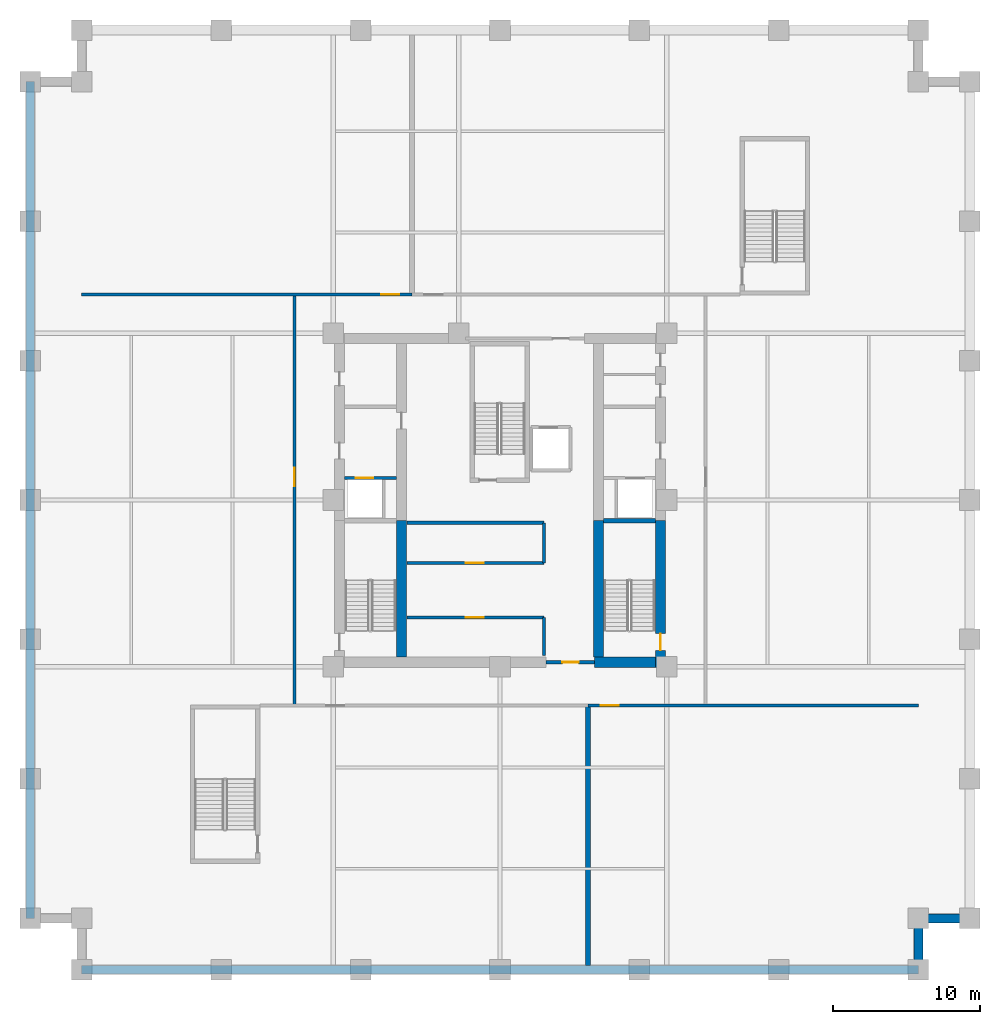
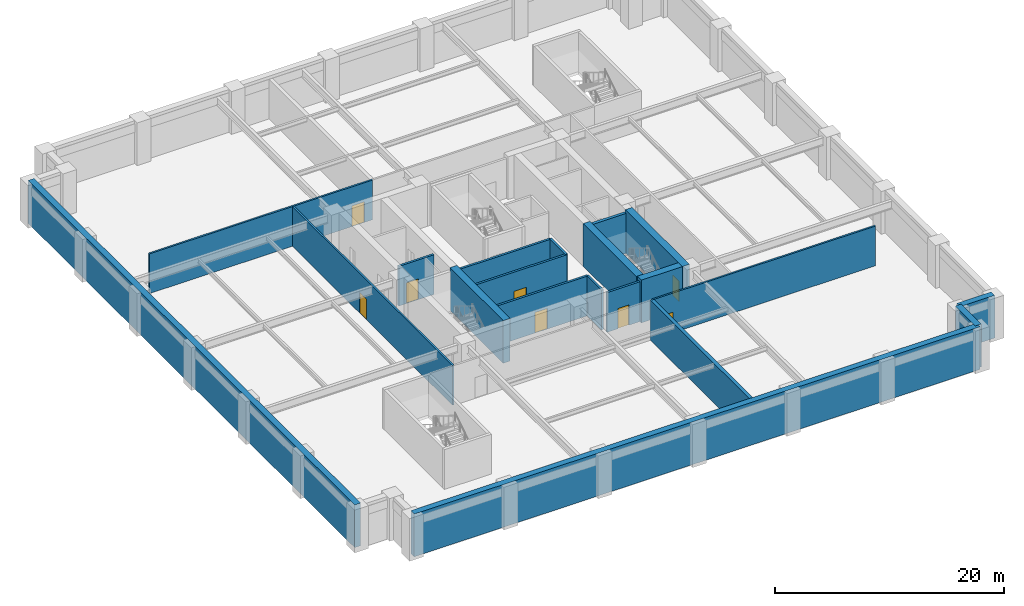
# One storey, part 2 of 6: 20 walls, 8 doors, 8 openings.
"""IFC4 building model written with IfcOpenShell, lengths in metres."""

from ifc_helpers import new_model, si_unit, direction, frame, frame_2d, origin, place, context, subcontext, project, spatial, rectangle, extrude, material, layer, layer_set, type_object, element, fill, save


model = new_model("IFC4")

# Units and contexts
model_context = context("Model", 3, precision=1e-05, world=origin(), true_north=direction((0.0, 1.0)))
body_context = subcontext(model_context, "Body", "Model", "MODEL_VIEW")
ifc_project = project(units=[si_unit("LENGTHUNIT", "METRE"), si_unit("AREAUNIT", "SQUARE_METRE"), si_unit("VOLUMEUNIT", "CUBIC_METRE"), si_unit("PLANEANGLEUNIT", "RADIAN"), si_unit("MASSUNIT", "GRAM", prefix="KILO")], contexts=[model_context])

# Site, building, storey
site_placement = place(None, origin())
site = spatial("IfcSite", under=ifc_project, at=site_placement, CompositionType="ELEMENT")
building_placement = place(site_placement, origin())
building = spatial("IfcBuilding", under=site, at=building_placement, Name="Nhamokura Convention Tower", CompositionType="ELEMENT")
storey_placement = place(building_placement, frame((0.0, 0.0, -4.550048828125)))
storey = spatial("IfcBuildingStorey", under=building, at=storey_placement, Name="B01", CompositionType="ELEMENT", Elevation=-4.550048828125)

# Walls
ifc_material_1 = material(Name="Concrete C50/60", Category="concrete")
ifc_layer_1 = layer(ifc_material_1, 0.60009765625)
ifc_layer_set_1 = layer_set([ifc_layer_1], Name="BasementRetainingWall_600")
wall_type_1 = type_object("IfcWallType", Name="BasementRetainingWall_600", PredefinedType="USERDEFINED", material=ifc_layer_set_1)
wall_1_placement = place(storey_placement, frame((3.5, 0.0, 0.0), z_axis=(0.0, 0.0, 1.0), x_axis=(1.0, 0.0, 0.0)))
element("IfcWall", 1, at=wall_1_placement, inside=storey, type_object=wall_type_1, Name="B01 Perimeter Retaining Wall 01", ObjectType="RETAININGWALL", PredefinedType="USERDEFINED", context=body_context, shape_type="SweptSolid", body=[
    extrude(rectangle(XDim=57.0, YDim=0.60009765625, at=frame_2d((28.5, 0.0))), origin(), (0.0, 0.0, 1.0), 4.550048828125),
])
for number, where, z_axis, x_axis, name in (
    (2, (60.5, 0.0, 0.0), (0.0, 0.0, 1.0), (0.0, 1.0, 0.0), "B01 Perimeter Retaining Wall 02"),
    (3, (60.5, 3.5, 0.0), (0.0, 0.0, 1.0), (1.0, 0.0, 0.0), "B01 Perimeter Retaining Wall 03"),
):
    element("IfcWall", number, at=place(storey_placement, frame(where, z_axis=z_axis, x_axis=x_axis)), inside=storey, type_object=wall_type_1, Name=name, ObjectType="RETAININGWALL", PredefinedType="USERDEFINED", context=body_context, shape_type="SweptSolid", body=[
        extrude(rectangle(XDim=3.5, YDim=0.60009765625, at=frame_2d((1.75, 0.0))), origin(), (0.0, 0.0, 1.0), 4.550048828125),
    ])
wall_2_placement = place(storey_placement, frame((0.0, 60.5, 0.0), z_axis=(0.0, 0.0, 1.0), x_axis=(0.0, -1.0, 0.0)))
element("IfcWall", 4, at=wall_2_placement, inside=storey, type_object=wall_type_1, Name="B01 Perimeter Retaining Wall 10", ObjectType="RETAININGWALL", PredefinedType="USERDEFINED", context=body_context, shape_type="SweptSolid", body=[
    extrude(rectangle(XDim=57.0, YDim=0.60009765625, at=frame_2d((28.5, 0.0))), origin(), (0.0, 0.0, 1.0), 4.550048828125),
])

# Wall, opening, door
ifc_material_2 = material(Name="Concrete C70/85", Category="concrete")
ifc_layer_2 = layer(ifc_material_2, 0.699951171875)
ifc_layer_set_2 = layer_set([ifc_layer_2], Name="CoreShearWall_700")
wall_type_2 = type_object("IfcWallType", Name="CoreShearWall_700", PredefinedType="SHEAR", material=ifc_layer_set_2)
wall_3_placement = place(storey_placement, frame((42.93994140625, 20.60009765625, 0.0), z_axis=(0.0, 0.0, 1.0), x_axis=(0.0, 1.0, 0.0)))
wall_3 = element("IfcWall", 5, at=wall_3_placement, inside=storey, type_object=wall_type_2, Name="B01 Core Shear Wall CW-ES", PredefinedType="SHEAR", context=body_context, shape_type="SweptSolid", body=[
    extrude(rectangle(XDim=10.0, YDim=0.699951171875, at=frame_2d((5.0, 0.0))), origin(), (0.0, 0.0, 1.0), 4.550048828125),
])
opening_1_placement = place(wall_3_placement, frame((1.14990234375, 0.0, 0.0)))
opening_1 = element("IfcOpeningElement", 6, at=opening_1_placement, cuts=wall_3, Name="Opening D-04", PredefinedType="OPENING", context=body_context, shape_type="SweptSolid", body=[
    extrude(rectangle(XDim=1.14990234375, YDim=2.14990234375, at=frame_2d((0.574951171875, 1.074951171875))), frame((0.0, 0.35986328125, 0.0), z_axis=(0.0, -1.0, 0.0), x_axis=(1.0, 0.0, 0.0)), (0.0, 0.0, 1.0), 0.719970703125),
])
ifc_material_3 = material(Name="Fire-rated steel door", Category="steel")
door_type_1 = type_object("IfcDoorType", Name="StairSmokeDoor_1150", OperationType="NOTDEFINED", PredefinedType="DOOR", material=ifc_material_3)
door_1_placement = place(opening_1_placement, origin())
door_1 = element("IfcDoor", 7, at=door_1_placement, inside=storey, type_object=door_type_1, Name="B01 Core Door INT-B01-D-ST02", OperationType="SINGLE_SWING_RIGHT", OverallHeight=2.14990234375, OverallWidth=1.14990234375, PredefinedType="DOOR", context=body_context, shape_type="SweptSolid", body=[
    extrude(rectangle(XDim=1.14990234375, YDim=2.14990234375, at=frame_2d((0.574951171875, 1.074951171875))), frame((0.0, 0.02490234375, 0.0), z_axis=(0.0, -1.0, 0.0), x_axis=(1.0, 0.0, 0.0)), (0.0, 0.0, 1.0), 0.050048828125),
])
fill(opening_1, door_1)

# Walls
wall_4_placement = place(storey_placement, frame((38.449951171875, 20.949951171875, 0.0), z_axis=(0.0, 0.0, 1.0), x_axis=(1.0, 0.0, 0.0)))
element("IfcWall", 8, at=wall_4_placement, inside=storey, type_object=wall_type_2, Name="B01 Core Shear Wall CW-S2", PredefinedType="SHEAR", context=body_context, shape_type="SweptSolid", body=[
    extrude(rectangle(XDim=4.14013671875, YDim=0.699951171875, at=frame_2d((2.070068359375, 0.0))), origin(), (0.0, 0.0, 1.0), 4.550048828125),
])
for number, where, z_axis, x_axis, name in (
    (9, (25.2900390625, 21.300048828125, 0.0), (0.0, 0.0, 1.0), (0.0, 1.0, 0.0), "B01 Core Shear Wall CW-IWS"),
    (10, (38.7099609375, 21.300048828125, 0.0), (0.0, 0.0, 1.0), (0.0, 1.0, 0.0), "B01 Core Shear Wall CW-IES"),
):
    element("IfcWall", number, at=place(storey_placement, frame(where, z_axis=z_axis, x_axis=x_axis)), inside=storey, type_object=wall_type_2, Name=name, PredefinedType="SHEAR", context=body_context, shape_type="SweptSolid", body=[
        extrude(rectangle(XDim=9.300048828125, YDim=0.699951171875, at=frame_2d((4.64990234375, 0.0))), origin(), (0.0, 0.0, 1.0), 4.550048828125),
    ])

# Wall, opening, door
ifc_material_4 = material(Name="Fire-rated gypsum and masonry partition", Category="masonry")
ifc_layer_3 = layer(ifc_material_4, 0.179931640625)
ifc_layer_set_3 = layer_set([ifc_layer_3], Name="CorridorRatedWall_180")
wall_type_3 = type_object("IfcWallType", Name="CorridorRatedWall_180", PredefinedType="STANDARD", material=ifc_layer_set_3)
wall_5_placement = place(storey_placement, frame((38.0, 18.0, 0.0), z_axis=(0.0, 0.0, 1.0), x_axis=(1.0, 0.0, 0.0)))
wall_5 = element("IfcWall", 11, at=wall_5_placement, inside=storey, type_object=wall_type_3, Name="B01 Wall INT-B01-CW-S01", PredefinedType="STANDARD", context=body_context, shape_type="SweptSolid", body=[
    extrude(rectangle(XDim=22.5, YDim=0.179931640625, at=frame_2d((11.25, 0.0))), origin(), (0.0, 0.0, 1.0), 4.22998046875),
])
opening_2_placement = place(wall_5_placement, frame((0.85009765625, 0.0, 0.0)))
opening_2 = element("IfcOpeningElement", 12, at=opening_2_placement, cuts=wall_5, Name="Opening D-12", PredefinedType="OPENING", context=body_context, shape_type="SweptSolid", body=[
    extrude(rectangle(XDim=1.25, YDim=2.199951171875, at=frame_2d((0.625, 1.10009765625))), frame((0.0, 0.099853515625, 0.0), z_axis=(0.0, -1.0, 0.0), x_axis=(1.0, 0.0, 0.0)), (0.0, 0.0, 1.0), 0.199951171875),
])
ifc_material_5 = material(Name="Fire-rated steel door", Category="steel")
door_type_2 = type_object("IfcDoorType", Name="PlantServiceDoor_1250", OperationType="NOTDEFINED", PredefinedType="DOOR", material=ifc_material_5)
door_2_placement = place(opening_2_placement, origin())
door_2 = element("IfcDoor", 13, at=door_2_placement, inside=storey, type_object=door_type_2, Name="B01 Cold Food Storage S02 Door", OperationType="SINGLE_SWING_RIGHT", OverallHeight=2.199951171875, OverallWidth=1.25, PredefinedType="DOOR", context=body_context, shape_type="SweptSolid", body=[
    extrude(rectangle(XDim=1.25, YDim=2.199951171875, at=frame_2d((0.625, 1.10009765625))), frame((0.0, 0.02490234375, 0.0), z_axis=(0.0, -1.0, 0.0), x_axis=(1.0, 0.0, 0.0)), (0.0, 0.0, 1.0), 0.050048828125),
])
fill(opening_2, door_2)

wall_6_placement = place(storey_placement, frame((3.5, 46.0, 0.0), z_axis=(0.0, 0.0, 1.0), x_axis=(1.0, 0.0, 0.0)))
wall_6 = element("IfcWall", 14, at=wall_6_placement, inside=storey, type_object=wall_type_3, Name="B01 Wall INT-B01-CW-N00", PredefinedType="STANDARD", context=body_context, shape_type="SweptSolid", body=[
    extrude(rectangle(XDim=22.5, YDim=0.179931640625, at=frame_2d((11.25, 0.0))), origin(), (0.0, 0.0, 1.0), 4.22998046875),
])
opening_3_placement = place(wall_6_placement, frame((20.39990234375, 0.0, 0.0)))
opening_3 = element("IfcOpeningElement", 15, at=opening_3_placement, cuts=wall_6, Name="Opening D-12", PredefinedType="OPENING", context=body_context, shape_type="SweptSolid", body=[
    extrude(rectangle(XDim=1.25, YDim=2.199951171875, at=frame_2d((0.625, 1.10009765625))), frame((0.0, 0.099853515625, 0.0), z_axis=(0.0, -1.0, 0.0), x_axis=(1.0, 0.0, 0.0)), (0.0, 0.0, 1.0), 0.199951171875),
])
door_3_placement = place(opening_3_placement, origin())
door_3 = element("IfcDoor", 16, at=door_3_placement, inside=storey, type_object=door_type_2, Name="B01 Exhibition Crate Preparation Hall N01 Door", OperationType="SINGLE_SWING_LEFT", OverallHeight=2.199951171875, OverallWidth=1.25, PredefinedType="DOOR", context=body_context, shape_type="SweptSolid", body=[
    extrude(rectangle(XDim=1.25, YDim=2.199951171875, at=frame_2d((0.625, 1.10009765625))), frame((0.0, 0.02490234375, 0.0), z_axis=(0.0, -1.0, 0.0), x_axis=(1.0, 0.0, 0.0)), (0.0, 0.0, 1.0), 0.050048828125),
])
fill(opening_3, door_3)

wall_7_placement = place(storey_placement, frame((18.0, 18.0, 0.0), z_axis=(0.0, 0.0, 1.0), x_axis=(0.0, 1.0, 0.0)))
wall_7 = element("IfcWall", 17, at=wall_7_placement, inside=storey, type_object=wall_type_3, Name="B01 Wall INT-B01-CW-W00", PredefinedType="STANDARD", context=body_context, shape_type="SweptSolid", body=[
    extrude(rectangle(XDim=28.0, YDim=0.179931640625, at=frame_2d((14.0, 0.0))), origin(), (0.0, 0.0, 1.0), 4.22998046875),
])
opening_4_placement = place(wall_7_placement, frame((14.949951171875, 0.0, 0.0)))
opening_4 = element("IfcOpeningElement", 18, at=opening_4_placement, cuts=wall_7, Name="Opening D-12", PredefinedType="OPENING", context=body_context, shape_type="SweptSolid", body=[
    extrude(rectangle(XDim=1.25, YDim=2.199951171875, at=frame_2d((0.625, 1.10009765625))), frame((0.0, 0.099853515625, 0.0), z_axis=(0.0, -1.0, 0.0), x_axis=(1.0, 0.0, 0.0)), (0.0, 0.0, 1.0), 0.199951171875),
])
door_4_placement = place(opening_4_placement, origin())
door_4 = element("IfcDoor", 19, at=door_4_placement, inside=storey, type_object=door_type_2, Name="B01 Staff Canteen and Lockers W01 Door", OperationType="SINGLE_SWING_LEFT", OverallHeight=2.199951171875, OverallWidth=1.25, PredefinedType="DOOR", context=body_context, shape_type="SweptSolid", body=[
    extrude(rectangle(XDim=1.25, YDim=2.199951171875, at=frame_2d((0.625, 1.10009765625))), frame((0.0, 0.02490234375, 0.0), z_axis=(0.0, -1.0, 0.0), x_axis=(1.0, 0.0, 0.0)), (0.0, 0.0, 1.0), 0.050048828125),
])
fill(opening_4, door_4)

ifc_material_6 = material(Name="Autoclaved concrete blockwork", Category="masonry")
ifc_layer_4 = layer(ifc_material_6, 0.219970703125)
ifc_layer_set_4 = layer_set([ifc_layer_4], Name="FireLobbyWall_220")
wall_type_4 = type_object("IfcWallType", Name="FireLobbyWall_220", PredefinedType="STANDARD", material=ifc_layer_set_4)
wall_8_placement = place(storey_placement, frame((21.409912109375, 33.5, 0.0), z_axis=(0.0, 0.0, 1.0), x_axis=(1.0, 0.0, 0.0)))
wall_8 = element("IfcWall", 20, at=wall_8_placement, inside=storey, type_object=wall_type_4, Name="B01 Wall INT-B01-FFW-S", PredefinedType="STANDARD", context=body_context, shape_type="SweptSolid", body=[
    extrude(rectangle(XDim=3.530029296875, YDim=0.219970703125, at=frame_2d((1.76513671875, 0.0))), origin(), (0.0, 0.0, 1.0), 4.22998046875),
])
opening_5_placement = place(wall_8_placement, frame((0.75, 0.0, 0.0)))
opening_5 = element("IfcOpeningElement", 21, at=opening_5_placement, cuts=wall_8, Name="Opening LD-02", PredefinedType="OPENING", context=body_context, shape_type="SweptSolid", body=[
    extrude(rectangle(XDim=1.199951171875, YDim=2.199951171875, at=frame_2d((0.60009765625, 1.10009765625))), frame((0.0, 0.119873046875, 0.0), z_axis=(0.0, -1.0, 0.0), x_axis=(1.0, 0.0, 0.0)), (0.0, 0.0, 1.0), 0.239990234375),
])
ifc_material_7 = material(Name="Anodised bronze stainless steel", Category="steel")
door_type_3 = type_object("IfcDoorType", Name="LiftLandingDoor_FireService", OperationType="DOUBLE_DOOR_SLIDING", PredefinedType="DOOR", material=ifc_material_7)
door_5_placement = place(opening_5_placement, origin())
door_5 = element("IfcDoor", 22, at=door_5_placement, inside=storey, type_object=door_type_3, Name="B01 Firefighting Lift LF-01 Door", OperationType="DOUBLE_DOOR_SLIDING", OverallHeight=2.199951171875, OverallWidth=1.199951171875, PredefinedType="DOOR", context=body_context, shape_type="SweptSolid", body=[
    extrude(rectangle(XDim=1.199951171875, YDim=2.199951171875, at=frame_2d((0.60009765625, 1.10009765625))), frame((0.0, 0.02490234375, 0.0), z_axis=(0.0, -1.0, 0.0), x_axis=(1.0, 0.0, 0.0)), (0.0, 0.0, 1.0), 0.050048828125),
])
fill(opening_5, door_5)

wall_9_placement = place(storey_placement, frame((35.14990234375, 20.949951171875, 0.0), z_axis=(0.0, 0.0, 1.0), x_axis=(1.0, 0.0, 0.0)))
wall_9 = element("IfcWall", 23, at=wall_9_placement, inside=storey, type_object=wall_type_4, Name="B01 Wall INT-B01-SPORT-S", PredefinedType="STANDARD", context=body_context, shape_type="SweptSolid", body=[
    extrude(rectangle(XDim=3.300048828125, YDim=0.219970703125, at=frame_2d((1.64990234375, 0.0))), origin(), (0.0, 0.0, 1.0), 4.22998046875),
])
opening_6_placement = place(wall_9_placement, frame((1.10009765625, 0.0, 0.0)))
opening_6 = element("IfcOpeningElement", 24, at=opening_6_placement, cuts=wall_9, Name="Opening D-05", PredefinedType="OPENING", context=body_context, shape_type="SweptSolid", body=[
    extrude(rectangle(XDim=1.10009765625, YDim=2.14990234375, at=frame_2d((0.550048828125, 1.074951171875))), frame((0.0, 0.119873046875, 0.0), z_axis=(0.0, -1.0, 0.0), x_axis=(1.0, 0.0, 0.0)), (0.0, 0.0, 1.0), 0.239990234375),
])
ifc_material_8 = material(Name="Fire-rated steel door", Category="steel")
door_type_4 = type_object("IfcDoorType", Name="FireLobbyDoor_1100", OperationType="NOTDEFINED", PredefinedType="DOOR", material=ifc_material_8)
door_6_placement = place(opening_6_placement, origin())
door_6 = element("IfcDoor", 25, at=door_6_placement, inside=storey, type_object=door_type_4, Name="B01 South Core Lobby Portal Door", OperationType="SINGLE_SWING_LEFT", OverallHeight=2.14990234375, OverallWidth=1.10009765625, PredefinedType="DOOR", context=body_context, shape_type="SweptSolid", body=[
    extrude(rectangle(XDim=1.10009765625, YDim=2.14990234375, at=frame_2d((0.550048828125, 1.074951171875))), frame((0.0, 0.02490234375, 0.0), z_axis=(0.0, -1.0, 0.0), x_axis=(1.0, 0.0, 0.0)), (0.0, 0.0, 1.0), 0.050048828125),
])
fill(opening_6, door_6)

wall_10_placement = place(storey_placement, frame((25.64990234375, 24.0, 0.0), z_axis=(0.0, 0.0, 1.0), x_axis=(1.0, 0.0, 0.0)))
wall_10 = element("IfcWall", 26, at=wall_10_placement, inside=storey, type_object=wall_type_4, Name="B01 Wall INT-B01-B1W", PredefinedType="STANDARD", context=body_context, shape_type="SweptSolid", body=[
    extrude(rectangle(XDim=9.35009765625, YDim=0.219970703125, at=frame_2d((4.675048828125, 0.0))), origin(), (0.0, 0.0, 1.0), 4.22998046875),
])
opening_7_placement = place(wall_10_placement, frame((4.0, 0.0, 0.0)))
opening_7 = element("IfcOpeningElement", 27, at=opening_7_placement, cuts=wall_10, Name="Opening D-12", PredefinedType="OPENING", context=body_context, shape_type="SweptSolid", body=[
    extrude(rectangle(XDim=1.25, YDim=2.199951171875, at=frame_2d((0.625, 1.10009765625))), frame((0.0, 0.119873046875, 0.0), z_axis=(0.0, -1.0, 0.0), x_axis=(1.0, 0.0, 0.0)), (0.0, 0.0, 1.0), 0.239990234375),
])
door_7_placement = place(opening_7_placement, origin())
door_7 = element("IfcDoor", 28, at=door_7_placement, inside=storey, type_object=door_type_2, Name="B01 Riser Access Door", OperationType="SINGLE_SWING_LEFT", OverallHeight=2.199951171875, OverallWidth=1.25, PredefinedType="DOOR", context=body_context, shape_type="SweptSolid", body=[
    extrude(rectangle(XDim=1.25, YDim=2.199951171875, at=frame_2d((0.625, 1.10009765625))), frame((0.0, 0.02490234375, 0.0), z_axis=(0.0, -1.0, 0.0), x_axis=(1.0, 0.0, 0.0)), (0.0, 0.0, 1.0), 0.050048828125),
])
fill(opening_7, door_7)

# Wall
wall_11_placement = place(storey_placement, frame((35.0, 21.39990234375, 0.0), z_axis=(0.0, 0.0, 1.0), x_axis=(0.0, 1.0, 0.0)))
element("IfcWall", 29, at=wall_11_placement, inside=storey, type_object=wall_type_4, Name="B01 Wall INT-B01-B1E", PredefinedType="STANDARD", context=body_context, shape_type="SweptSolid", body=[
    extrude(rectangle(XDim=2.60009765625, YDim=0.219970703125, at=frame_2d((1.300048828125, 0.0))), origin(), (0.0, 0.0, 1.0), 4.22998046875),
])

# Wall, opening, door
wall_12_placement = place(storey_placement, frame((25.64990234375, 27.699951171875, 0.0), z_axis=(0.0, 0.0, 1.0), x_axis=(1.0, 0.0, 0.0)))
wall_12 = element("IfcWall", 30, at=wall_12_placement, inside=storey, type_object=wall_type_4, Name="B01 Wall INT-B01-B2S", PredefinedType="STANDARD", context=body_context, shape_type="SweptSolid", body=[
    extrude(rectangle(XDim=9.35009765625, YDim=0.219970703125, at=frame_2d((4.675048828125, 0.0))), origin(), (0.0, 0.0, 1.0), 4.22998046875),
])
opening_8_placement = place(wall_12_placement, frame((4.0, 0.0, 0.0)))
opening_8 = element("IfcOpeningElement", 31, at=opening_8_placement, cuts=wall_12, Name="Opening D-12", PredefinedType="OPENING", context=body_context, shape_type="SweptSolid", body=[
    extrude(rectangle(XDim=1.25, YDim=2.199951171875, at=frame_2d((0.625, 1.10009765625))), frame((0.0, 0.119873046875, 0.0), z_axis=(0.0, -1.0, 0.0), x_axis=(1.0, 0.0, 0.0)), (0.0, 0.0, 1.0), 0.239990234375),
])
door_8_placement = place(opening_8_placement, origin())
door_8 = element("IfcDoor", 32, at=door_8_placement, inside=storey, type_object=door_type_2, Name="B01 Busduct Riser Door", OperationType="SINGLE_SWING_RIGHT", OverallHeight=2.199951171875, OverallWidth=1.25, PredefinedType="DOOR", context=body_context, shape_type="SweptSolid", body=[
    extrude(rectangle(XDim=1.25, YDim=2.199951171875, at=frame_2d((0.625, 1.10009765625))), frame((0.0, 0.02490234375, 0.0), z_axis=(0.0, -1.0, 0.0), x_axis=(1.0, 0.0, 0.0)), (0.0, 0.0, 1.0), 0.050048828125),
])
fill(opening_8, door_8)

# Walls
wall_13_placement = place(storey_placement, frame((25.64990234375, 30.449951171875, 0.0), z_axis=(0.0, 0.0, 1.0), x_axis=(1.0, 0.0, 0.0)))
element("IfcWall", 33, at=wall_13_placement, inside=storey, type_object=wall_type_4, Name="B01 Wall INT-B01-B2N", PredefinedType="STANDARD", context=body_context, shape_type="SweptSolid", body=[
    extrude(rectangle(XDim=9.35009765625, YDim=0.219970703125, at=frame_2d((4.675048828125, 0.0))), origin(), (0.0, 0.0, 1.0), 4.22998046875),
])
wall_14_placement = place(storey_placement, frame((35.0, 27.699951171875, 0.0), z_axis=(0.0, 0.0, 1.0), x_axis=(0.0, 1.0, 0.0)))
element("IfcWall", 34, at=wall_14_placement, inside=storey, type_object=wall_type_4, Name="B01 Wall INT-B01-B2E", PredefinedType="STANDARD", context=body_context, shape_type="SweptSolid", body=[
    extrude(rectangle(XDim=2.75, YDim=0.219970703125, at=frame_2d((1.375, 0.0))), origin(), (0.0, 0.0, 1.0), 4.22998046875),
])
ifc_material_9 = material(Name="Concrete C50/60", Category="concrete")
ifc_layer_5 = layer(ifc_material_9, 0.35009765625)
ifc_layer_set_5 = layer_set([ifc_layer_5], Name="FirewallPlant_350")
wall_type_5 = type_object("IfcWallType", Name="FirewallPlant_350", PredefinedType="STANDARD", material=ifc_layer_set_5)
wall_15_placement = place(storey_placement, frame((38.0, 0.300048828125, 0.0), z_axis=(0.0, 0.0, 1.0), x_axis=(0.0, 1.0, 0.0)))
element("IfcWall", 35, at=wall_15_placement, inside=storey, type_object=wall_type_5, Name="B01 Wall INT-B01-RW-S01", PredefinedType="STANDARD", context=body_context, shape_type="SweptSolid", body=[
    extrude(rectangle(XDim=17.699951171875, YDim=0.35009765625, at=frame_2d((8.85009765625, 0.0))), origin(), (0.0, 0.0, 1.0), 4.22998046875),
])
ifc_material_10 = material(Name="Concrete C50/60", Category="concrete")
ifc_layer_6 = layer(ifc_material_10, 0.300048828125)
ifc_layer_set_6 = layer_set([ifc_layer_6], Name="ShaftEnclosureWall_300")
wall_type_6 = type_object("IfcWallType", Name="ShaftEnclosureWall_300", PredefinedType="SHEAR", material=ifc_layer_set_6)
wall_16_placement = place(storey_placement, frame((39.06005859375, 30.60009765625, 0.0), z_axis=(0.0, 0.0, 1.0), x_axis=(1.0, 0.0, 0.0)))
element("IfcWall", 36, at=wall_16_placement, inside=storey, type_object=wall_type_6, Name="B01 Wall INT-B01-ST02-N", PredefinedType="SHEAR", context=body_context, shape_type="SweptSolid", body=[
    extrude(rectangle(XDim=3.530029296875, YDim=0.300048828125, at=frame_2d((1.76513671875, 0.0))), origin(), (0.0, 0.0, 1.0), 4.22998046875),
])

save(model, "model.ifc")
